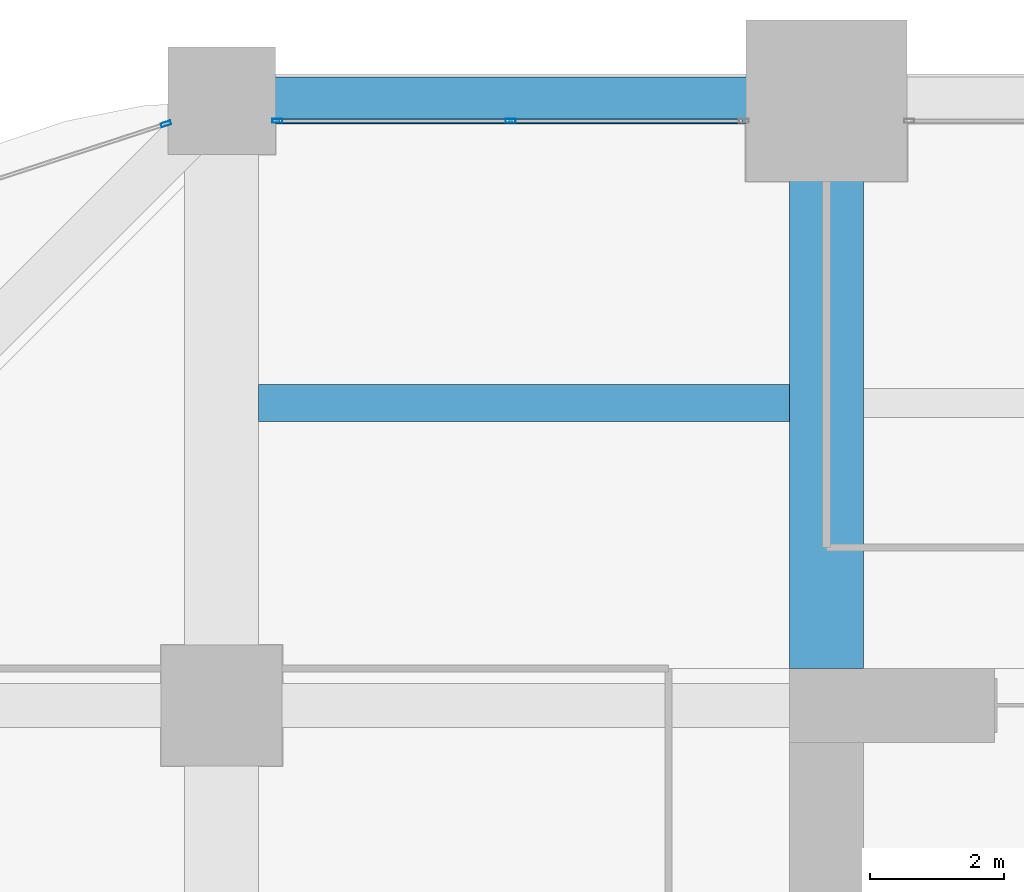
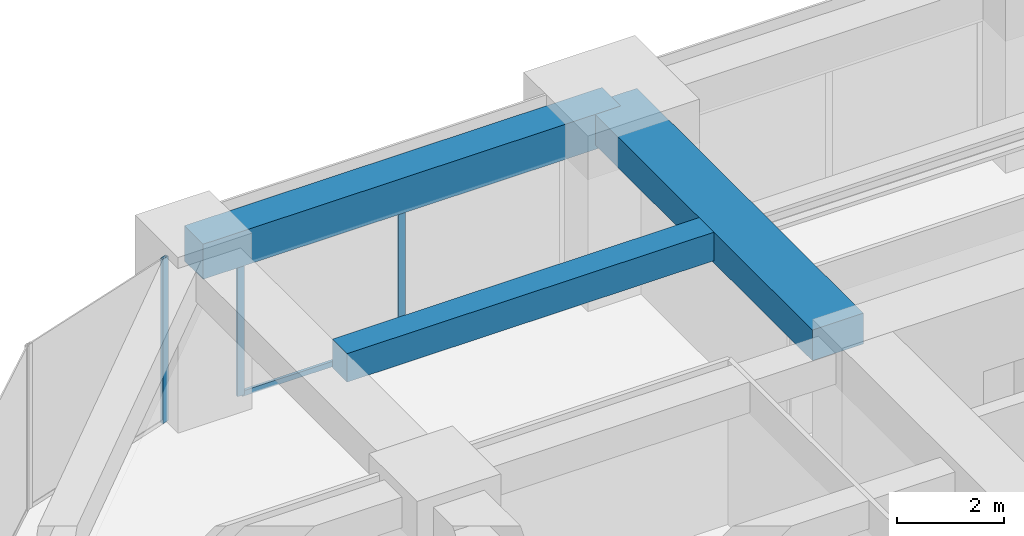
# One storey, part 27 of 40: 4 members, 3 beams, 2 elements without a shape of their own.
"""IFC4 building model written with IfcOpenShell, lengths in metres."""

from ifc_helpers import new_model, si_unit, direction, frame, origin, origin_2d, place, context, subcontext, project, spatial, rectangle, hollow_rectangle, extrude, material, material_profile, profile_set, type_object, element, aggregate, save


model = new_model("IFC4")

# Units and contexts
model_context = context("Model", 3, precision=1e-05, world=origin(), true_north=direction((0.0, 1.0)))
body_context = subcontext(model_context, "Body", "Model", "MODEL_VIEW")
ifc_project = project(units=[si_unit("LENGTHUNIT", "METRE"), si_unit("AREAUNIT", "SQUARE_METRE"), si_unit("VOLUMEUNIT", "CUBIC_METRE"), si_unit("PLANEANGLEUNIT", "RADIAN"), si_unit("MASSUNIT", "GRAM", prefix="KILO")], contexts=[model_context])

# Site, building, storey
site_placement = place(None, origin())
site = spatial("IfcSite", under=ifc_project, at=site_placement, CompositionType="ELEMENT")
building_placement = place(site_placement, origin())
building = spatial("IfcBuilding", under=site, at=building_placement, Name="Zorevar Civic Tower", CompositionType="ELEMENT")
storey_placement = place(building_placement, frame((0.0, 0.0, 133.0)))
storey = spatial("IfcBuildingStorey", under=building, at=storey_placement, Name="L32", CompositionType="ELEMENT", Elevation=133.0)

# Beams
ifc_material_1 = material(Name="Concrete C50/60", Category="concrete")
ifc_material_profile_1 = material_profile(ifc_material_1, rectangle(XDim=1.10009765625, YDim=0.699951171875, at=origin_2d()), Name="RC 1100x700")
ifc_profile_set_1 = profile_set([ifc_material_profile_1], Name="Concrete C50/60")
beam_type_1 = type_object("IfcBeamType", Name="Beam RC 1100x700", PredefinedType="BEAM", material=ifc_profile_set_1)
beam_1_placement = place(storey_placement, frame((18.0, 36.550048828125, 3.39990234375), z_axis=(0.0, 1.0, 0.0), x_axis=(-1.0, 0.0, 0.0)))
element("IfcBeam", 1, at=beam_1_placement, inside=storey, type_object=beam_type_1, Name="Girder L33", PredefinedType="BEAM", context=body_context, shape_type="SweptSolid", body=[
    extrude(rectangle(XDim=1.10009765625, YDim=0.699951171875, at=origin_2d()), origin(), (0.0, 0.0, 1.0), 8.449951171875),
])
ifc_material_2 = material(Name="Concrete C50/60", Category="concrete")
ifc_material_profile_2 = material_profile(ifc_material_2, rectangle(XDim=0.550048828125, YDim=0.64990234375, at=origin_2d()), Name="RC 550x650")
ifc_profile_set_2 = profile_set([ifc_material_profile_2], Name="Concrete C50/60")
beam_type_2 = type_object("IfcBeamType", Name="Beam RC 550x650", PredefinedType="BEAM", material=ifc_profile_set_2)
beam_2_placement = place(storey_placement, frame((9.550048828125, 40.5, 3.425048828125), z_axis=(1.0, 0.0, 0.0), x_axis=(0.0, 1.0, 0.0)))
element("IfcBeam", 2, at=beam_2_placement, inside=storey, type_object=beam_type_2, Name="Secondary beam L33", PredefinedType="BEAM", context=body_context, shape_type="SweptSolid", body=[
    extrude(rectangle(XDim=0.550048828125, YDim=0.64990234375, at=origin_2d()), origin(), (0.0, 0.0, 1.0), 7.89990234375),
])

# Curtain wall, members
ifc_material_3 = material(Name="Dark grey solar-control glass in black aluminium frame", Category="aluminium")
curtain_wall_type = type_object("IfcCurtainWallType", Name="Curtain wall CW3 mid zone", PredefinedType="NOTDEFINED", material=ifc_material_3)
curtain_wall_1_placement = place(storey_placement, origin())
curtain_wall_1 = element("IfcCurtainWall", 3, at=curtain_wall_1_placement, inside=storey, type_object=curtain_wall_type, Name="CW3 L32", PredefinedType="NOTDEFINED")
ifc_material_4 = material(Name="Aluminium, black anodised", Category="aluminium")
ifc_material_profile_3 = material_profile(ifc_material_4, hollow_rectangle(XDim=0.06005859375, YDim=0.14990234375, WallThickness=0.00390625, at=origin_2d()), Name="AL 150x60x4")
ifc_profile_set_3 = profile_set([ifc_material_profile_3], Name="Aluminium, black anodised")
member_type_1 = type_object("IfcMemberType", Name="CW3 mullion AL 150x60x4", PredefinedType="MULLION", material=ifc_profile_set_3)
member_1_placement = place(storey_placement, frame((9.830078125, 44.699951171875, 0.0), z_axis=(0.0, 0.0, 1.0), x_axis=(0.0, 1.0, 0.0)))
member_1 = element("IfcMember", 4, at=member_1_placement, type_object=member_type_1, Name="CW3 mullion 1", PredefinedType="MULLION", context=body_context, shape_type="SweptSolid", body=[
    extrude(hollow_rectangle(XDim=0.06005859375, YDim=0.14990234375, WallThickness=0.00390625, at=origin_2d()), origin(), (0.0, 0.0, 1.0), 2.949951171875),
])
member_2_placement = place(storey_placement, frame((13.300048828125, 44.699951171875, 0.06005859375), z_axis=(0.0, 0.0, 1.0), x_axis=(0.0, 1.0, 0.0)))
member_2 = element("IfcMember", 5, at=member_2_placement, type_object=member_type_1, Name="CW3 mullion 2", PredefinedType="MULLION", context=body_context, shape_type="SweptSolid", body=[
    extrude(hollow_rectangle(XDim=0.06005859375, YDim=0.14990234375, WallThickness=0.00390625, at=origin_2d()), origin(), (0.0, 0.0, 1.0), 2.889892578125),
])

# Curtain wall, member
curtain_wall_2_placement = place(storey_placement, origin())
curtain_wall_2 = element("IfcCurtainWall", 6, at=curtain_wall_2_placement, inside=storey, type_object=curtain_wall_type, Name="CW3 L32", PredefinedType="NOTDEFINED")
member_3_placement = place(storey_placement, frame((8.17138671875, 44.65380859375, 0.0), z_axis=(0.0, 0.0, 1.0), x_axis=(0.310263169163, -0.950650706548, 0.0)))
member_3 = element("IfcMember", 7, at=member_3_placement, type_object=member_type_1, Name="CW3 mullion 1", PredefinedType="MULLION", context=body_context, shape_type="SweptSolid", body=[
    extrude(hollow_rectangle(XDim=0.06005859375, YDim=0.14990234375, WallThickness=0.00390625, at=origin_2d()), origin(), (0.0, 0.0, 1.0), 3.75),
])
aggregate(curtain_wall_2, [member_3])

# Member
ifc_material_5 = material(Name="Aluminium, black anodised", Category="aluminium")
ifc_material_profile_4 = material_profile(ifc_material_5, hollow_rectangle(XDim=0.06005859375, YDim=0.1201171875, WallThickness=0.0029296875, at=origin_2d()), Name="AL 120x60x3")
ifc_profile_set_4 = profile_set([ifc_material_profile_4], Name="Aluminium, black anodised")
member_type_2 = type_object("IfcMemberType", Name="CW3 transom AL 120x60x3", PredefinedType="USERDEFINED", material=ifc_profile_set_4)
member_4_placement = place(storey_placement, frame((9.860107421875, 44.699951171875, 0.030029296875), z_axis=(1.0, 0.0, 0.0), x_axis=(0.0, 1.0, 0.0)))
member_4 = element("IfcMember", 8, at=member_4_placement, type_object=member_type_2, Name="CW3 sill transom", ObjectType="TRANSOM", PredefinedType="USERDEFINED", context=body_context, shape_type="SweptSolid", body=[
    extrude(hollow_rectangle(XDim=0.06005859375, YDim=0.1201171875, WallThickness=0.0029296875, at=origin_2d()), origin(), (0.0, 0.0, 1.0), 6.8798828125),
])

aggregate(curtain_wall_1, [member_1, member_2, member_4])

# Beam
ifc_material_6 = material(Name="Concrete C50/60", Category="concrete")
ifc_material_profile_5 = material_profile(ifc_material_6, rectangle(XDim=0.699951171875, YDim=0.800048828125, at=origin_2d()), Name="RC 700x800")
ifc_profile_set_5 = profile_set([ifc_material_profile_5], Name="Concrete C50/60")
beam_type_3 = type_object("IfcBeamType", Name="Edge beam RC 700x800", PredefinedType="SPANDREL", material=ifc_profile_set_5)
beam_3_placement = place(storey_placement, frame((9.0, 45.0, 3.35009765625), z_axis=(1.0, 0.0, 0.0), x_axis=(0.0, 1.0, 0.0)))
element("IfcBeam", 9, at=beam_3_placement, inside=storey, type_object=beam_type_3, Name="Edge beam L33", PredefinedType="SPANDREL", context=body_context, shape_type="SweptSolid", body=[
    extrude(rectangle(XDim=0.699951171875, YDim=0.800048828125, at=origin_2d()), origin(), (0.0, 0.0, 1.0), 9.0),
])

save(model, "model.ifc")
